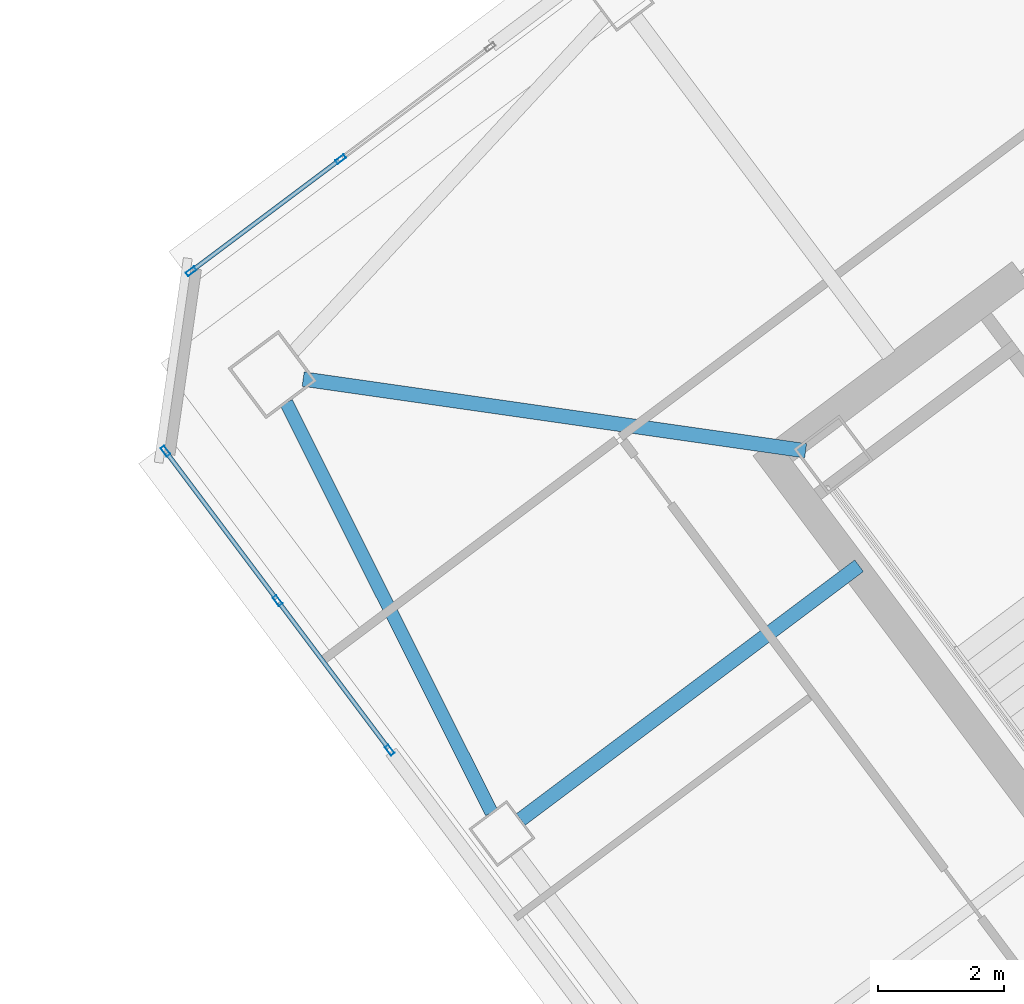
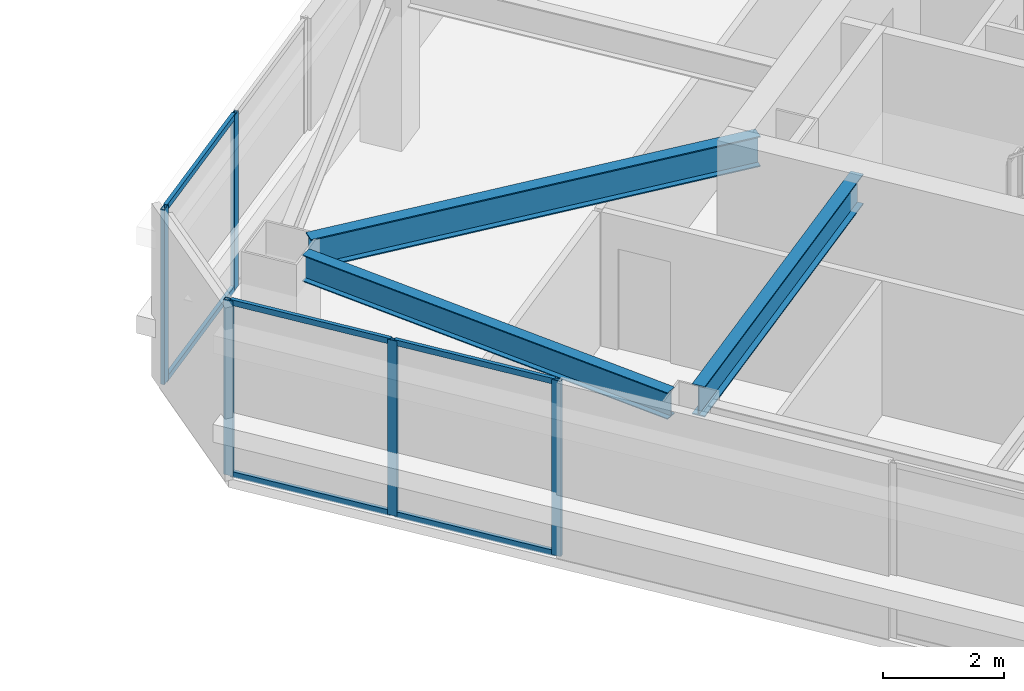
# One storey, part 22 of 44: 11 members, 3 beams, 2 elements without a shape of their own.
"""IFC4 building model written with IfcOpenShell, lengths in metres."""

import ifcopenshell
import ifcopenshell.guid

model = None  # the IFC model being written
_history = None  # IfcOwnerHistory: only IFC2X3 demands one
_inside = {}  # id of a spatial element -> (the spatial element, [elements in it])
_under = {}  # id of a project, library or spatial element -> (it, [spatial elements below it])
_declared = {}  # id of a project -> (the project, [libraries it declares])
_typed = {}  # id of a type object -> (the type object, [elements of that type])
_made_of = {}  # id of a material, layer set ... -> (it, [elements and type objects made of it])


def new_model(schema):
    """Start an empty IFC model of exactly this schema.

    Asked for "IFC4X3", IfcOpenShell would pick the latest addendum, in which some entities
    have other attributes; the version numbers below select the first issue.
    IFC2X3 requires an IfcOwnerHistory on every rooted entity: one is made here for all.
    """
    global model, _history
    if schema == "IFC4X3":
        model = ifcopenshell.file(schema_version=(4, 3, 0, 0))
    else:
        model = ifcopenshell.file(schema=schema)
    _inside.clear()
    _under.clear()
    _declared.clear()
    _typed.clear()
    _made_of.clear()
    _history = None
    if model.schema == "IFC2X3":
        org = make("IfcOrganization", Name="unknown")
        user = make(
            "IfcPersonAndOrganization",
            ThePerson=make("IfcPerson", FamilyName="unknown"),
            TheOrganization=org,
        )
        app = make(
            "IfcApplication",
            ApplicationDeveloper=org,
            Version="unknown",
            ApplicationFullName="unknown",
            ApplicationIdentifier="unknown",
        )
        _history = make(
            "IfcOwnerHistory",
            OwningUser=user,
            OwningApplication=app,
            ChangeAction="ADDED",
            CreationDate=0,
        )
    return model


def make(cls, **values):
    """One entity of the class cls with the attributes given. An attribute that is None is left unset."""
    return model.create_entity(
        cls, **{name: value for name, value in values.items() if value is not None}
    )


def rooted(cls, **values):
    """An entity with a GlobalId (a new one), such as an element, a storey or a relation."""
    return make(cls, GlobalId=ifcopenshell.guid.new(), OwnerHistory=_history, **values)


def si_unit(unit_type, name, prefix=None):
    """IfcSIUnit, for example si_unit("LENGTHUNIT", "METRE", prefix="MILLI")."""
    return make("IfcSIUnit", UnitType=unit_type, Prefix=prefix, Name=name)


def assignment(units):
    """IfcUnitAssignment: the units of a project."""
    return None if units is None else make("IfcUnitAssignment", Units=units)


def point(xyz):
    """IfcCartesianPoint."""
    return None if xyz is None else make("IfcCartesianPoint", Coordinates=xyz)


def direction(xyz):
    """IfcDirection."""
    return None if xyz is None else make("IfcDirection", DirectionRatios=xyz)


def frame(location, z_axis=None, x_axis=None):
    """IfcAxis2Placement3D, a coordinate frame: its origin and axes. An axis left out is left unset."""
    return make(
        "IfcAxis2Placement3D",
        Location=point(location),
        Axis=direction(z_axis),
        RefDirection=direction(x_axis),
    )


def frame_2d(location, x_axis=None):
    """IfcAxis2Placement2D, a coordinate frame in the plane: its origin and x axis."""
    return make(
        "IfcAxis2Placement2D", Location=point(location), RefDirection=direction(x_axis)
    )


def origin():
    """The frame at (0, 0, 0) with its axes left unset."""
    return frame((0.0, 0.0, 0.0))


def origin_2d():
    """The frame at (0, 0) in the plane with its x axis left unset."""
    return frame_2d((0.0, 0.0))


def place(relative_to, where):
    """IfcLocalPlacement: puts the frame where relative to a parent placement (None: the world)."""
    return make(
        "IfcLocalPlacement", PlacementRelTo=relative_to, RelativePlacement=where
    )


def context(
    kind, dimensions, precision=None, world=None, true_north=None, identifier=None
):
    """IfcGeometricRepresentationContext, for example the 3D "Model" context."""
    return make(
        "IfcGeometricRepresentationContext",
        ContextIdentifier=identifier,
        ContextType=kind,
        CoordinateSpaceDimension=dimensions,
        Precision=precision,
        WorldCoordinateSystem=world,
        TrueNorth=true_north,
    )


def subcontext(parent, identifier, kind, view, scale=None):
    """IfcGeometricRepresentationSubContext, for example "Body" below "Model"."""
    return make(
        "IfcGeometricRepresentationSubContext",
        ContextIdentifier=identifier,
        ContextType=kind,
        ParentContext=parent,
        TargetScale=scale,
        TargetView=view,
    )


def project(units=None, contexts=None):
    """IfcProject with its units and contexts."""
    return rooted(
        "IfcProject",
        Name="project",
        RepresentationContexts=contexts,
        UnitsInContext=assignment(units),
    )


def spatial(cls, under=None, at=None, **own):
    """A site, building, storey or space (cls), placed at a placement, below another one or the project."""
    s = rooted(cls, ObjectPlacement=at, **own)
    if under is not None:
        _under.setdefault(under.id(), (under, []))[1].append(s)
    return s


def profile(cls, at=None, kind="AREA", **sizes):
    """A parametric profile (cls). Its sizes go by their IFC names, for example OverallWidth=200.0."""
    return make(cls, ProfileType=kind, Position=at, **sizes)


def hollow_rectangle(**sizes):
    """IfcRectangleHollowProfileDef."""
    return profile("IfcRectangleHollowProfileDef", **sizes)


def i_section(**sizes):
    """IfcIShapeProfileDef."""
    return profile("IfcIShapeProfileDef", **sizes)


def extrude(swept, where, along, depth):
    """IfcExtrudedAreaSolid: the profile swept, set in the frame where, extruded along a direction by depth."""
    return make(
        "IfcExtrudedAreaSolid",
        SweptArea=swept,
        Position=where,
        ExtrudedDirection=direction(along),
        Depth=depth,
    )


def shape(context_of_items, identifier, shape_type, items):
    """IfcShapeRepresentation: the items that make up one representation, for example the "Body"."""
    return make(
        "IfcShapeRepresentation",
        ContextOfItems=context_of_items,
        RepresentationIdentifier=identifier,
        RepresentationType=shape_type,
        Items=items,
    )


def material(Name=None, Category=None):
    """IfcMaterial."""
    return make("IfcMaterial", Name=Name, Category=Category)


def material_profile(
    of_material, cross_section, Name=None, Category=None, Priority=None
):
    """IfcMaterialProfile: a cross section and its material."""
    return make(
        "IfcMaterialProfile",
        Name=Name,
        Material=of_material,
        Profile=cross_section,
        Priority=Priority,
        Category=Category,
    )


def profile_set(profiles, Name=None, composite=None):
    """IfcMaterialProfileSet."""
    return make(
        "IfcMaterialProfileSet",
        Name=Name,
        MaterialProfiles=profiles,
        CompositeProfile=composite,
    )


def made_of(thing, what):
    """Note that an element or type object is made of a material, layer set ...; save() writes the relation."""
    if what is not None:
        _made_of.setdefault(what.id(), (what, []))[1].append(thing)
    return thing


def type_object(cls, material=None, **own):
    """A type object (cls), such as IfcWallType, which elements share."""
    return made_of(rooted(cls, **own), material)


def element(
    cls,
    number,
    at=None,
    inside=None,
    cuts=None,
    type_object=None,
    material=None,
    context=None,
    identifier="Body",
    shape_type=None,
    held_by="IfcProductDefinitionShape",
    body=None,
    shapes=None,
    **own,
):
    """One element of the class cls, such as IfcWall. Its Tag is "e" and its number.

    at: its placement. inside: the storey or other place that contains it. cuts: it is an
    opening in that element (IfcRelVoidsElement). A single representation is given by context,
    identifier, shape_type and body (its items); several are given by shapes. held_by: the class
    of the entity that holds the representations. save() writes the other relations.
    """
    e = rooted(cls, Tag="e%d" % number, ObjectPlacement=at, **own)
    if body is not None:
        shapes = [shape(context, identifier, shape_type, body)]
    if shapes is not None:
        e.Representation = make(held_by, Representations=shapes)
    if inside is not None:
        _inside.setdefault(inside.id(), (inside, []))[1].append(e)
    if cuts is not None:
        rooted(
            "IfcRelVoidsElement", RelatingBuildingElement=cuts, RelatedOpeningElement=e
        )
    if type_object is not None:
        _typed.setdefault(type_object.id(), (type_object, []))[1].append(e)
    return made_of(e, material)


def aggregate(whole, parts):
    """IfcRelAggregates: a whole, such as a stair, and the parts it consists of."""
    return rooted("IfcRelAggregates", RelatingObject=whole, RelatedObjects=parts)


def save(model, path):
    """Write the relations noted so far, then the file.

    IfcRelAggregates (storeys below a building ...), IfcRelContainedInSpatialStructure (elements
    in a storey), IfcRelDefinesByType, IfcRelAssociatesMaterial and IfcRelDeclares: one each for
    every whole, place, type object, material and project.
    """
    for whole, parts in _under.values():
        aggregate(whole, parts)
    for where, things in _inside.values():
        rooted(
            "IfcRelContainedInSpatialStructure",
            RelatedElements=things,
            RelatingStructure=where,
        )
    for kind, things in _typed.values():
        rooted("IfcRelDefinesByType", RelatedObjects=things, RelatingType=kind)
    for what, things in _made_of.values():
        rooted("IfcRelAssociatesMaterial", RelatedObjects=things, RelatingMaterial=what)
    for by, libraries in _declared.values():
        rooted("IfcRelDeclares", RelatingContext=by, RelatedDefinitions=libraries)
    model.write(path)


model = new_model("IFC4")

# Units and contexts
model_context = context("Model", 3, precision=1e-05, world=origin(), true_north=direction((0.0, 1.0)))
body_context = subcontext(model_context, "Body", "Model", "MODEL_VIEW")
ifc_project = project(units=[si_unit("LENGTHUNIT", "METRE"), si_unit("AREAUNIT", "SQUARE_METRE"), si_unit("VOLUMEUNIT", "CUBIC_METRE"), si_unit("PLANEANGLEUNIT", "RADIAN"), si_unit("MASSUNIT", "GRAM", prefix="KILO")], contexts=[model_context])

# Site, building, storey
site_placement = place(None, origin())
site = spatial("IfcSite", under=ifc_project, at=site_placement, CompositionType="ELEMENT")
building_placement = place(site_placement, origin())
building = spatial("IfcBuilding", under=site, at=building_placement, Name="Tashvorn Skyway Center", CompositionType="ELEMENT")
storey_placement = place(building_placement, frame((0.0, 0.0, 211.300048828125)))
storey = spatial("IfcBuildingStorey", under=building, at=storey_placement, Name="L57", CompositionType="ELEMENT", Elevation=211.300048828125)

# Beams
ifc_material_1 = material(Name="Steel ASTM A992 Grade 50", Category="steel")
ifc_material_profile_1 = material_profile(ifc_material_1, i_section(OverallWidth=0.22998046875, OverallDepth=0.616943359375, WebThickness=0.01318359375, FlangeThickness=0.022216796875, at=origin_2d()), Name="W24X94")
ifc_profile_set_1 = profile_set([ifc_material_profile_1], Name="Steel ASTM A992 Grade 50")
beam_type_1 = type_object("IfcBeamType", Name="BM-BEAM-W24X94", PredefinedType="BEAM", material=ifc_profile_set_1)
beam_1_placement = place(storey_placement, frame((95.72998046875, 34.610107421875, 3.0615234375), z_axis=(0.989947064346, -0.141438360399, 0.0), x_axis=(0.141438360399, 0.989947064346, 0.0)))
element("IfcBeam", 1, at=beam_1_placement, inside=storey, type_object=beam_type_1, Name="Tower 2 L57 Primary Floor Girder MC-NW", PredefinedType="BEAM", context=body_context, shape_type="SweptSolid", body=[
    extrude(i_section(OverallWidth=0.22998046875, OverallDepth=0.616943359375, WebThickness=0.01318359375, FlangeThickness=0.022216796875, at=origin_2d()), origin(), (0.0, 0.0, 1.0), 8.040283203125),
])
beam_2_placement = place(storey_placement, frame((99.176025390625, 27.632080078125, 3.0615234375), z_axis=(0.799991254452, 0.600011660554, 0.0), x_axis=(-0.600011660554, 0.799991254452, 0.0)))
element("IfcBeam", 2, at=beam_2_placement, inside=storey, type_object=beam_type_1, Name="Tower 2 L57 Primary Floor Girder FC-W1", PredefinedType="BEAM", context=body_context, shape_type="SweptSolid", body=[
    extrude(i_section(OverallWidth=0.22998046875, OverallDepth=0.616943359375, WebThickness=0.01318359375, FlangeThickness=0.022216796875, at=origin_2d()), origin(), (0.0, 0.0, 1.0), 6.699951171875),
])
ifc_material_profile_2 = material_profile(ifc_material_1, i_section(OverallWidth=0.2109375, OverallDepth=0.5390625, WebThickness=0.01171875, FlangeThickness=0.018798828125, at=origin_2d()), Name="W21X73")
ifc_profile_set_2 = profile_set([ifc_material_profile_2], Name="Steel ASTM A992 Grade 50")
beam_type_2 = type_object("IfcBeamType", Name="BM-SPANDREL-W21X73", PredefinedType="SPANDREL", material=ifc_profile_set_2)
beam_3_placement = place(storey_placement, frame((95.461669921875, 34.2373046875, 3.100341796875), z_axis=(0.447710870872, -0.894178380472, 0.0), x_axis=(0.894178380472, 0.447710870872, 0.0)))
element("IfcBeam", 3, at=beam_3_placement, inside=storey, type_object=beam_type_2, Name="Tower 2 L57 Spandrel Beam 10", PredefinedType="SPANDREL", context=body_context, shape_type="SweptSolid", body=[
    extrude(i_section(OverallWidth=0.2109375, OverallDepth=0.5390625, WebThickness=0.01171875, FlangeThickness=0.018798828125, at=origin_2d()), origin(), (0.0, 0.0, 1.0), 7.26513671875),
])

# Curtain wall, members
ifc_material_2 = material(Name="Thermally broken bronze-anodized aluminium 6063-T6", Category="aluminium")
curtain_wall_type = type_object("IfcCurtainWallType", Name="CW-CW-Z5", PredefinedType="NOTDEFINED", material=ifc_material_2)
curtain_wall_1_placement = place(storey_placement, origin())
curtain_wall_1 = element("IfcCurtainWall", 4, at=curtain_wall_1_placement, inside=storey, type_object=curtain_wall_type, Name="Tower 2 L57 West Unitised Curtain Wall Glazing Group 3", PredefinedType="NOTDEFINED")
ifc_material_profile_3 = material_profile(ifc_material_2, hollow_rectangle(XDim=0.070068359375, YDim=0.1650390625, WallThickness=0.00390625, at=origin_2d()), Name="ALU-MULL-70x165")
ifc_profile_set_3 = profile_set([ifc_material_profile_3], Name="Thermally broken bronze-anodized aluminium 6063-T6")
member_type_1 = type_object("IfcMemberType", Name="CWM-CW-Z5", PredefinedType="MULLION", material=ifc_profile_set_3)
member_1_placement = place(storey_placement, frame((97.101806640625, 28.731201171875, 0.0), z_axis=(0.0, 0.0, 1.0), x_axis=(-0.79999799704, -0.600002670604, 0.0)))
member_1 = element("IfcMember", 5, at=member_1_placement, type_object=member_type_1, Name="CW-Z5 mullion 1", PredefinedType="MULLION", context=body_context, shape_type="SweptSolid", body=[
    extrude(hollow_rectangle(XDim=0.070068359375, YDim=0.1650390625, WallThickness=0.00390625, at=origin_2d()), origin(), (0.0, 0.0, 1.0), 3.550048828125),
])
member_2_placement = place(storey_placement, frame((95.325439453125, 31.099609375, 0.0), z_axis=(0.0, 0.0, 1.0), x_axis=(-0.79999799704, -0.600002670604, 0.0)))
member_2 = element("IfcMember", 6, at=member_2_placement, type_object=member_type_1, Name="CW-Z5 mullion 2", PredefinedType="MULLION", context=body_context, shape_type="SweptSolid", body=[
    extrude(hollow_rectangle(XDim=0.070068359375, YDim=0.1650390625, WallThickness=0.00390625, at=origin_2d()), origin(), (0.0, 0.0, 1.0), 3.550048828125),
])
member_3_placement = place(storey_placement, frame((93.549072265625, 33.468017578125, 0.0), z_axis=(0.0, 0.0, 1.0), x_axis=(-0.79999799704, -0.600002670604, 0.0)))
member_3 = element("IfcMember", 7, at=member_3_placement, type_object=member_type_1, Name="CW-Z5 mullion 3", PredefinedType="MULLION", context=body_context, shape_type="SweptSolid", body=[
    extrude(hollow_rectangle(XDim=0.070068359375, YDim=0.1650390625, WallThickness=0.00390625, at=origin_2d()), origin(), (0.0, 0.0, 1.0), 3.550048828125),
])

curtain_wall_2_placement = place(storey_placement, origin())
curtain_wall_2 = element("IfcCurtainWall", 8, at=curtain_wall_2_placement, inside=storey, type_object=curtain_wall_type, Name="Tower 2 L57 North Unitised Curtain Wall Glazing Group 1", PredefinedType="NOTDEFINED")
member_4_placement = place(storey_placement, frame((93.9560546875, 36.31689453125, 0.0), z_axis=(0.0, 0.0, 1.0), x_axis=(-0.600002670604, 0.79999799704, 0.0)))
member_4 = element("IfcMember", 9, at=member_4_placement, type_object=member_type_1, Name="CW-Z5 mullion 1", PredefinedType="MULLION", context=body_context, shape_type="SweptSolid", body=[
    extrude(hollow_rectangle(XDim=0.070068359375, YDim=0.1650390625, WallThickness=0.00390625, at=origin_2d()), origin(), (0.0, 0.0, 1.0), 3.550048828125),
])
member_5_placement = place(storey_placement, frame((96.324462890625, 38.09326171875, 0.0), z_axis=(0.0, 0.0, 1.0), x_axis=(-0.600002670604, 0.79999799704, 0.0)))
member_5 = element("IfcMember", 10, at=member_5_placement, type_object=member_type_1, Name="CW-Z5 mullion 2", PredefinedType="MULLION", context=body_context, shape_type="SweptSolid", body=[
    extrude(hollow_rectangle(XDim=0.070068359375, YDim=0.1650390625, WallThickness=0.00390625, at=origin_2d()), origin(), (0.0, 0.0, 1.0), 3.550048828125),
])

# Member
ifc_material_profile_4 = material_profile(ifc_material_2, hollow_rectangle(XDim=0.070068359375, YDim=0.114990234375, WallThickness=0.00390625, at=origin_2d()), Name="ALU-TRAN-70x115")
ifc_profile_set_4 = profile_set([ifc_material_profile_4], Name="Thermally broken bronze-anodized aluminium 6063-T6")
member_type_2 = type_object("IfcMemberType", Name="CWT-CW-Z5", PredefinedType="USERDEFINED", material=ifc_profile_set_4)
member_6_placement = place(storey_placement, frame((97.080810546875, 28.759033203125, 0.034912109375), z_axis=(-0.6, 0.8, 0.0), x_axis=(-0.8, -0.6, 0.0)))
member_6 = element("IfcMember", 11, at=member_6_placement, type_object=member_type_2, Name="CW-Z5 transom 1.1", ObjectType="TRANSOM", PredefinedType="USERDEFINED", context=body_context, shape_type="SweptSolid", body=[
    extrude(hollow_rectangle(XDim=0.070068359375, YDim=0.114990234375, WallThickness=0.00390625, at=origin_2d()), origin(), (0.0, 0.0, 1.0), 2.890625),
])

member_7_placement = place(storey_placement, frame((97.080810546875, 28.759033203125, 3.514892578125), z_axis=(-0.6, 0.8, 0.0), x_axis=(-0.8, -0.6, 0.0)))
member_7 = element("IfcMember", 12, at=member_7_placement, type_object=member_type_2, Name="CW-Z5 transom 1.2", ObjectType="TRANSOM", PredefinedType="USERDEFINED", context=body_context, shape_type="SweptSolid", body=[
    extrude(hollow_rectangle(XDim=0.070068359375, YDim=0.114990234375, WallThickness=0.00390625, at=origin_2d()), origin(), (0.0, 0.0, 1.0), 2.890625),
])

member_8_placement = place(storey_placement, frame((95.304443359375, 31.12744140625, 0.034912109375), z_axis=(-0.6, 0.8, 0.0), x_axis=(-0.8, -0.6, 0.0)))
member_8 = element("IfcMember", 13, at=member_8_placement, type_object=member_type_2, Name="CW-Z5 transom 2.1", ObjectType="TRANSOM", PredefinedType="USERDEFINED", context=body_context, shape_type="SweptSolid", body=[
    extrude(hollow_rectangle(XDim=0.070068359375, YDim=0.114990234375, WallThickness=0.00390625, at=origin_2d()), origin(), (0.0, 0.0, 1.0), 2.890625),
])

member_9_placement = place(storey_placement, frame((95.304443359375, 31.12744140625, 3.514892578125), z_axis=(-0.6, 0.8, 0.0), x_axis=(-0.8, -0.6, 0.0)))
member_9 = element("IfcMember", 14, at=member_9_placement, type_object=member_type_2, Name="CW-Z5 transom 2.2", ObjectType="TRANSOM", PredefinedType="USERDEFINED", context=body_context, shape_type="SweptSolid", body=[
    extrude(hollow_rectangle(XDim=0.070068359375, YDim=0.114990234375, WallThickness=0.00390625, at=origin_2d()), origin(), (0.0, 0.0, 1.0), 2.890625),
])

aggregate(curtain_wall_1, [member_1, member_2, member_3, member_6, member_7, member_8, member_9])

member_10_placement = place(storey_placement, frame((93.98388671875, 36.337890625, 0.034912109375), z_axis=(0.8, 0.6, 0.0), x_axis=(-0.6, 0.8, 0.0)))
member_10 = element("IfcMember", 15, at=member_10_placement, type_object=member_type_2, Name="CW-Z5 transom 1.1", ObjectType="TRANSOM", PredefinedType="USERDEFINED", context=body_context, shape_type="SweptSolid", body=[
    extrude(hollow_rectangle(XDim=0.070068359375, YDim=0.114990234375, WallThickness=0.00390625, at=origin_2d()), origin(), (0.0, 0.0, 1.0), 2.890625),
])

member_11_placement = place(storey_placement, frame((93.98388671875, 36.337890625, 3.514892578125), z_axis=(0.8, 0.6, 0.0), x_axis=(-0.6, 0.8, 0.0)))
member_11 = element("IfcMember", 16, at=member_11_placement, type_object=member_type_2, Name="CW-Z5 transom 1.2", ObjectType="TRANSOM", PredefinedType="USERDEFINED", context=body_context, shape_type="SweptSolid", body=[
    extrude(hollow_rectangle(XDim=0.070068359375, YDim=0.114990234375, WallThickness=0.00390625, at=origin_2d()), origin(), (0.0, 0.0, 1.0), 2.890625),
])

aggregate(curtain_wall_2, [member_4, member_5, member_10, member_11])

save(model, "model.ifc")
